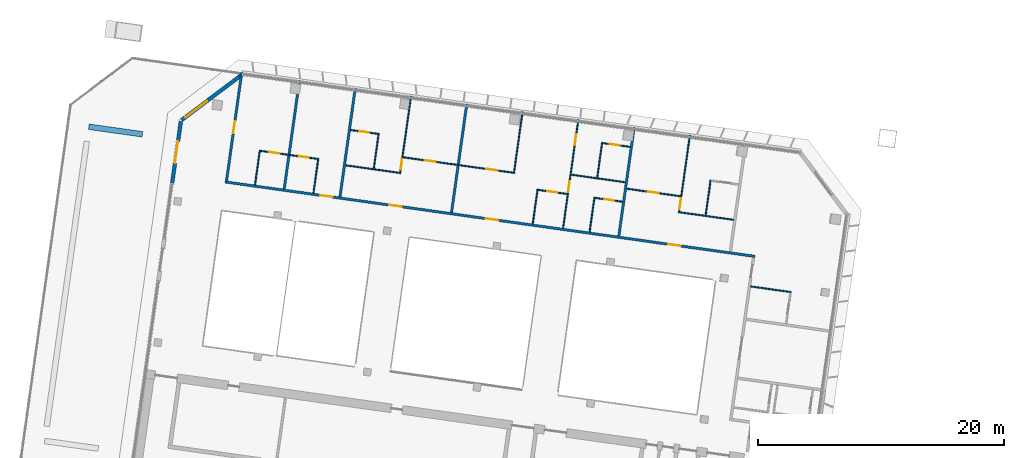
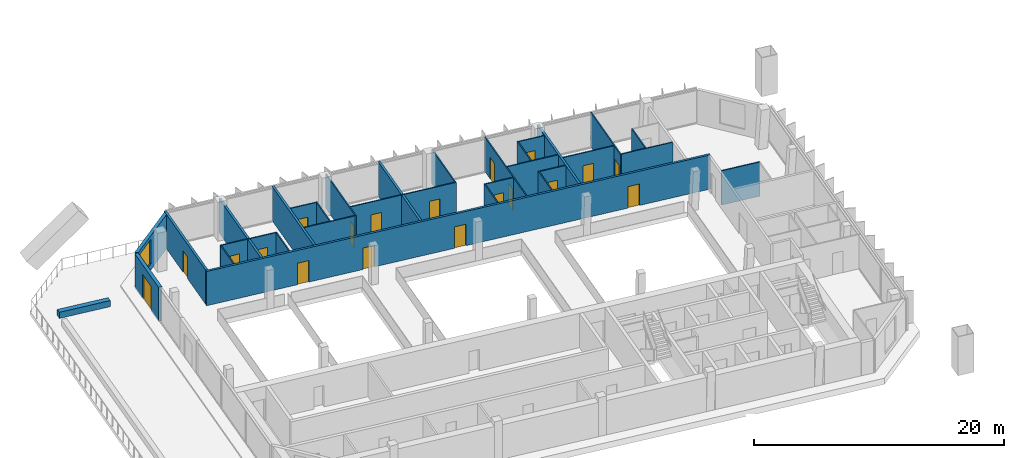
# One storey, part 15 of 23: 31 walls, 19 doors, 1 window, 20 openings.
"""IFC4 building model written with IfcOpenShell, lengths in metres."""

from ifc_helpers import new_model, si_unit, direction, frame, frame_2d, origin, place, context, subcontext, project, spatial, rectangle, extrude, material, layer, layer_set, type_object, element, fill, save


model = new_model("IFC4")

# Units and contexts
model_context = context("Model", 3, precision=1e-05, world=origin(), true_north=direction((0.0, 1.0)))
body_context = subcontext(model_context, "Body", "Model", "MODEL_VIEW")
ifc_project = project(units=[si_unit("LENGTHUNIT", "METRE"), si_unit("AREAUNIT", "SQUARE_METRE"), si_unit("VOLUMEUNIT", "CUBIC_METRE"), si_unit("PLANEANGLEUNIT", "RADIAN"), si_unit("MASSUNIT", "GRAM", prefix="KILO")], contexts=[model_context])

# Site, building, storey
site_placement = place(None, origin())
site = spatial("IfcSite", under=ifc_project, at=site_placement, CompositionType="ELEMENT")
building_placement = place(site_placement, origin())
building = spatial("IfcBuilding", under=site, at=building_placement, Name="Mirante Cascada Hotel Towers", CompositionType="ELEMENT")
storey_placement = place(building_placement, frame((0.0, 0.0, 180.2)))
storey = spatial("IfcBuildingStorey", under=building, at=storey_placement, Name="L42", CompositionType="ELEMENT", Elevation=180.2)

# Wall, openings, doors
ifc_material_1 = material(Name="Fire-rated plasterboard on metal studs")
ifc_layer_1 = layer(ifc_material_1, 0.2)
ifc_layer_set_1 = layer_set([ifc_layer_1], Name="Compartment wall 200 EI 120")
wall_type_1 = type_object("IfcWallType", Name="Compartment wall 200 EI 120", PredefinedType="PARTITIONING", material=ifc_layer_set_1)
wall_1_placement = place(storey_placement, frame((-34.6489, 8.7516, 0.0), z_axis=(0.0, 0.0, 1.0), x_axis=(-0.9902679, 0.1391746, 0.0)))
wall_1 = element("IfcWall", 1, at=wall_1_placement, inside=storey, type_object=wall_type_1, Name="Wall 1-L42-09", PredefinedType="PARTITIONING", context=body_context, shape_type="SweptSolid", body=[
    extrude(rectangle(XDim=43.5, YDim=0.2, at=frame_2d((21.75, 0.0))), origin(), (0.0, 0.0, 1.0), 3.35),
])
opening_1_placement = place(wall_1_placement, frame((6.11, 0.0, 0.0)))
opening_1 = element("IfcOpeningElement", 2, at=opening_1_placement, cuts=wall_1, Name="Opening D1-L42-04", PredefinedType="OPENING", context=body_context, shape_type="SweptSolid", body=[
    extrude(rectangle(XDim=1.0, YDim=2.1, at=frame_2d((0.5, 1.05))), frame((0.0, 0.1, 0.0), z_axis=(0.0, -1.0, 0.0), x_axis=(1.0, 0.0, 0.0)), (0.0, 0.0, 1.0), 0.2),
])
opening_2_placement = place(wall_1_placement, frame((21.0928, 0.0, 0.0)))
opening_2 = element("IfcOpeningElement", 3, at=opening_2_placement, cuts=wall_1, Name="Opening D1-L42-05", PredefinedType="OPENING", context=body_context, shape_type="SweptSolid", body=[
    extrude(rectangle(XDim=1.0, YDim=2.1, at=frame_2d((0.5, 1.05))), frame((0.0, 0.1, 0.0), z_axis=(0.0, -1.0, 0.0), x_axis=(1.0, 0.0, 0.0)), (0.0, 0.0, 1.0), 0.2),
])
opening_3_placement = place(wall_1_placement, frame((29.005, 0.0, 0.0)))
opening_3 = element("IfcOpeningElement", 4, at=opening_3_placement, cuts=wall_1, Name="Opening D1-L42-06", PredefinedType="OPENING", context=body_context, shape_type="SweptSolid", body=[
    extrude(rectangle(XDim=1.0, YDim=2.1, at=frame_2d((0.5, 1.05))), frame((0.0, 0.1, 0.0), z_axis=(0.0, -1.0, 0.0), x_axis=(1.0, 0.0, 0.0)), (0.0, 0.0, 1.0), 0.2),
])
opening_4_placement = place(wall_1_placement, frame((34.6735, 0.0, 0.0)))
opening_4 = element("IfcOpeningElement", 5, at=opening_4_placement, cuts=wall_1, Name="Opening D1-L42-07", PredefinedType="OPENING", context=body_context, shape_type="SweptSolid", body=[
    extrude(rectangle(XDim=1.0, YDim=2.1, at=frame_2d((0.5, 1.05))), frame((0.0, 0.1, 0.0), z_axis=(0.0, -1.0, 0.0), x_axis=(1.0, 0.0, 0.0)), (0.0, 0.0, 1.0), 0.2),
])
ifc_material_2 = material(Name="Fire-rated timber door leaf", Category="wood")
door_type_1 = type_object("IfcDoorType", Name="Entrance door DG1 1000x2100 EI 60", OperationType="SINGLE_SWING_LEFT", PredefinedType="DOOR", material=ifc_material_2)
door_1_placement = place(opening_1_placement, frame((1.0, 0.0, 0.0), z_axis=(0.0, 0.0, 1.0), x_axis=(-1.0, 0.0, 0.0)))
door_1 = element("IfcDoor", 6, at=door_1_placement, inside=storey, type_object=door_type_1, Name="Door D1-L42-04", OperationType="SINGLE_SWING_RIGHT", OverallHeight=2.1, OverallWidth=1.0, PredefinedType="DOOR", context=body_context, shape_type="SweptSolid", body=[
    extrude(rectangle(XDim=1.0, YDim=2.1, at=frame_2d((0.5, 1.05))), frame((0.0, 0.025, 0.0), z_axis=(0.0, -1.0, 0.0), x_axis=(1.0, 0.0, 0.0)), (0.0, 0.0, 1.0), 0.05),
])
fill(opening_1, door_1)
door_2_placement = place(opening_2_placement, frame((1.0, 0.0, 0.0), z_axis=(0.0, 0.0, 1.0), x_axis=(-1.0, 0.0, 0.0)))
door_2 = element("IfcDoor", 7, at=door_2_placement, inside=storey, type_object=door_type_1, Name="Door D1-L42-05", OperationType="SINGLE_SWING_RIGHT", OverallHeight=2.1, OverallWidth=1.0, PredefinedType="DOOR", context=body_context, shape_type="SweptSolid", body=[
    extrude(rectangle(XDim=1.0, YDim=2.1, at=frame_2d((0.5, 1.05))), frame((0.0, 0.025, 0.0), z_axis=(0.0, -1.0, 0.0), x_axis=(1.0, 0.0, 0.0)), (0.0, 0.0, 1.0), 0.05),
])
fill(opening_2, door_2)
door_3_placement = place(opening_3_placement, frame((1.0, 0.0, 0.0), z_axis=(0.0, 0.0, 1.0), x_axis=(-1.0, 0.0, 0.0)))
door_3 = element("IfcDoor", 8, at=door_3_placement, inside=storey, type_object=door_type_1, Name="Door D1-L42-06", OperationType="SINGLE_SWING_RIGHT", OverallHeight=2.1, OverallWidth=1.0, PredefinedType="DOOR", context=body_context, shape_type="SweptSolid", body=[
    extrude(rectangle(XDim=1.0, YDim=2.1, at=frame_2d((0.5, 1.05))), frame((0.0, 0.025, 0.0), z_axis=(0.0, -1.0, 0.0), x_axis=(1.0, 0.0, 0.0)), (0.0, 0.0, 1.0), 0.05),
])
fill(opening_3, door_3)
door_4_placement = place(opening_4_placement, frame((1.0, 0.0, 0.0), z_axis=(0.0, 0.0, 1.0), x_axis=(-1.0, 0.0, 0.0)))
door_4 = element("IfcDoor", 9, at=door_4_placement, inside=storey, type_object=door_type_1, Name="Door D1-L42-07", OperationType="SINGLE_SWING_RIGHT", OverallHeight=2.1, OverallWidth=1.0, PredefinedType="DOOR", context=body_context, shape_type="SweptSolid", body=[
    extrude(rectangle(XDim=1.0, YDim=2.1, at=frame_2d((0.5, 1.05))), frame((0.0, 0.025, 0.0), z_axis=(0.0, -1.0, 0.0), x_axis=(1.0, 0.0, 0.0)), (0.0, 0.0, 1.0), 0.05),
])
fill(opening_4, door_4)

# Walls
for number, where, z_axis, x_axis, name in (
    (10, (-45.7151, 10.4079, 0.0), (0.0, 0.0, 1.0), (0.1391684, 0.9902687, 0.0), "Wall 1-L42-31"),
    (11, (-59.3184, 12.3197, 0.0), (0.0, 0.0, 1.0), (0.1391684, 0.9902687, 0.0), "Wall 1-L42-37"),
    (12, (-67.1486, 22.4076, 0.0), (0.0, 0.0, 1.0), (-0.1391794, -0.9902672, 0.0), "Wall 1-L42-40"),
    (13, (-71.6831, 23.0449, 0.0), (0.0, 0.0, 1.0), (-0.1391684, -0.9902687, 0.0), "Wall 1-L42-42"),
):
    element("IfcWall", number, at=place(storey_placement, frame(where, z_axis=z_axis, x_axis=x_axis)), inside=storey, type_object=wall_type_1, Name=name, PredefinedType="PARTITIONING", context=body_context, shape_type="SweptSolid", body=[
        extrude(rectangle(XDim=8.9, YDim=0.2, at=frame_2d((4.45, 0.0))), origin(), (0.0, 0.0, 1.0), 3.35),
    ])

# Wall, opening, door
wall_2_placement = place(storey_placement, frame((-76.374, 23.7042, 0.0), z_axis=(0.0, 0.0, 1.0), x_axis=(-0.1391684, -0.9902687, 0.0)))
wall_2 = element("IfcWall", 14, at=wall_2_placement, inside=storey, type_object=wall_type_1, Name="Wall 1-L42-44", PredefinedType="PARTITIONING", context=body_context, shape_type="SweptSolid", body=[
    extrude(rectangle(XDim=8.9, YDim=0.2, at=frame_2d((4.45, 0.0))), origin(), (0.0, 0.0, 1.0), 3.35),
])
opening_5_placement = place(wall_2_placement, frame((4.0, 0.0, 0.0)))
opening_5 = element("IfcOpeningElement", 15, at=opening_5_placement, cuts=wall_2, Name="Opening D1-L42-28", PredefinedType="OPENING", context=body_context, shape_type="SweptSolid", body=[
    extrude(rectangle(XDim=1.0, YDim=2.1, at=frame_2d((0.5, 1.05))), frame((0.0, 0.1, 0.0), z_axis=(0.0, -1.0, 0.0), x_axis=(1.0, 0.0, 0.0)), (0.0, 0.0, 1.0), 0.2),
])
door_5_placement = place(opening_5_placement, origin())
door_5 = element("IfcDoor", 16, at=door_5_placement, inside=storey, type_object=door_type_1, Name="Door D1-L42-28", OperationType="SINGLE_SWING_LEFT", OverallHeight=2.1, OverallWidth=1.0, PredefinedType="DOOR", context=body_context, shape_type="SweptSolid", body=[
    extrude(rectangle(XDim=1.0, YDim=2.1, at=frame_2d((0.5, 1.05))), frame((0.0, 0.025, 0.0), z_axis=(0.0, -1.0, 0.0), x_axis=(1.0, 0.0, 0.0)), (0.0, 0.0, 1.0), 0.05),
])
fill(opening_5, door_5)

# Walls
ifc_material_3 = material(Name="Plasterboard on metal studs")
ifc_layer_2 = layer(ifc_material_3, 0.1)
ifc_layer_set_2 = layer_set([ifc_layer_2], Name="Partition 100")
wall_type_2 = type_object("IfcWallType", Name="Partition 100", PredefinedType="PARTITIONING", material=ifc_layer_set_2)
wall_3_placement = place(storey_placement, frame((-34.9922, 6.3089, 0.0), z_axis=(0.0, 0.0, 1.0), x_axis=(0.9902682, -0.1391719, 0.0)))
element("IfcWall", 17, at=wall_3_placement, inside=storey, type_object=wall_type_2, Name="Wall 1-L42-08", PredefinedType="PARTITIONING", context=body_context, shape_type="SweptSolid", body=[
    extrude(rectangle(XDim=3.3239, YDim=0.1, at=frame_2d((1.662, 0.0))), origin(), (0.0, 0.0, 1.0), 3.35),
])
for number, where, z_axis, x_axis, name in (
    (18, (-40.7693, 12.3383, 0.0), (0.0, 0.0, 1.0), (0.990268, -0.1391735, 0.0), "Wall 1-L42-10"),
    (19, (-63.5405, 15.5386, 0.0), (0.0, 0.0, 1.0), (-0.990268, 0.1391735, 0.0), "Wall 1-L42-11"),
):
    element("IfcWall", number, at=place(storey_placement, frame(where, z_axis=z_axis, x_axis=x_axis)), inside=storey, type_object=wall_type_2, Name=name, PredefinedType="PARTITIONING", context=body_context, shape_type="SweptSolid", body=[
        extrude(rectangle(XDim=4.429, YDim=0.1, at=frame_2d((2.2145, 0.0))), origin(), (0.0, 0.0, 1.0), 3.35),
    ])

# Wall, opening, door
wall_4_placement = place(storey_placement, frame((-47.6525, 13.5077, 0.0), z_axis=(0.0, 0.0, 1.0), x_axis=(0.9902643, -0.1391997, 0.0)))
wall_4 = element("IfcWall", 20, at=wall_4_placement, inside=storey, type_object=wall_type_2, Name="Wall 1-L42-12", PredefinedType="PARTITIONING", context=body_context, shape_type="SweptSolid", body=[
    extrude(rectangle(XDim=2.25, YDim=0.1, at=frame_2d((1.125, 0.0))), origin(), (0.0, 0.0, 1.0), 3.35),
])
opening_6_placement = place(wall_4_placement, frame((0.75, 0.0, 0.0)))
opening_6 = element("IfcOpeningElement", 21, at=opening_6_placement, cuts=wall_4, Name="Opening D1-L42-08", PredefinedType="OPENING", context=body_context, shape_type="SweptSolid", body=[
    extrude(rectangle(XDim=0.8, YDim=2.1, at=frame_2d((0.4, 1.05))), frame((0.0, 0.05, 0.0), z_axis=(0.0, -1.0, 0.0), x_axis=(1.0, 0.0, 0.0)), (0.0, 0.0, 1.0), 0.1),
])
ifc_material_4 = material(Name="Timber door leaf", Category="wood")
door_type_2 = type_object("IfcDoorType", Name="Bathroom door DG4 800x2100", OperationType="SINGLE_SWING_LEFT", PredefinedType="DOOR", material=ifc_material_4)
door_6_placement = place(opening_6_placement, frame((0.8, 0.0, 0.0), z_axis=(0.0, 0.0, 1.0), x_axis=(-1.0, 0.0, 0.0)))
door_6 = element("IfcDoor", 22, at=door_6_placement, inside=storey, type_object=door_type_2, Name="Door D1-L42-08", OperationType="SINGLE_SWING_RIGHT", OverallHeight=2.1, OverallWidth=0.8, PredefinedType="DOOR", context=body_context, shape_type="SweptSolid", body=[
    extrude(rectangle(XDim=0.8, YDim=2.1, at=frame_2d((0.4, 1.05))), frame((0.0, 0.025, 0.0), z_axis=(0.0, -1.0, 0.0), x_axis=(1.0, 0.0, 0.0)), (0.0, 0.0, 1.0), 0.05),
])
fill(opening_6, door_6)

wall_5_placement = place(storey_placement, frame((-49.9094, 13.8249, 0.0), z_axis=(0.0, 0.0, 1.0), x_axis=(-0.9902705, 0.1391555, 0.0)))
wall_5 = element("IfcWall", 23, at=wall_5_placement, inside=storey, type_object=wall_type_2, Name="Wall 1-L42-13", PredefinedType="PARTITIONING", context=body_context, shape_type="SweptSolid", body=[
    extrude(rectangle(XDim=2.3916, YDim=0.1, at=frame_2d((1.1958, 0.0))), origin(), (0.0, 0.0, 1.0), 3.35),
])
opening_7_placement = place(wall_5_placement, frame((0.8416, 0.0, 0.0)))
opening_7 = element("IfcOpeningElement", 24, at=opening_7_placement, cuts=wall_5, Name="Opening D1-L42-09", PredefinedType="OPENING", context=body_context, shape_type="SweptSolid", body=[
    extrude(rectangle(XDim=0.8, YDim=2.1, at=frame_2d((0.4, 1.05))), frame((0.0, 0.05, 0.0), z_axis=(0.0, -1.0, 0.0), x_axis=(1.0, 0.0, 0.0)), (0.0, 0.0, 1.0), 0.1),
])
door_7_placement = place(opening_7_placement, frame((0.8, 0.0, 0.0), z_axis=(0.0, 0.0, 1.0), x_axis=(-1.0, 0.0, 0.0)))
door_7 = element("IfcDoor", 25, at=door_7_placement, inside=storey, type_object=door_type_2, Name="Door D1-L42-09", OperationType="SINGLE_SWING_RIGHT", OverallHeight=2.1, OverallWidth=0.8, PredefinedType="DOOR", context=body_context, shape_type="SweptSolid", body=[
    extrude(rectangle(XDim=0.8, YDim=2.1, at=frame_2d((0.4, 1.05))), frame((0.0, 0.025, 0.0), z_axis=(0.0, -1.0, 0.0), x_axis=(1.0, 0.0, 0.0)), (0.0, 0.0, 1.0), 0.05),
])
fill(opening_7, door_7)

# Wall, openings, doors
wall_6_placement = place(storey_placement, frame((-74.9582, 17.3452, 0.0), z_axis=(0.0, 0.0, 1.0), x_axis=(0.9902694, -0.1391638, 0.0)))
wall_6 = element("IfcWall", 26, at=wall_6_placement, inside=storey, type_object=wall_type_2, Name="Wall 1-L42-14", PredefinedType="PARTITIONING", context=body_context, shape_type="SweptSolid", body=[
    extrude(rectangle(XDim=4.9, YDim=0.1, at=frame_2d((2.45, 0.0))), origin(), (0.0, 0.0, 1.0), 3.35),
])
opening_8_placement = place(wall_6_placement, frame((3.25, 0.0, 0.0)))
opening_8 = element("IfcOpeningElement", 27, at=opening_8_placement, cuts=wall_6, Name="Opening D1-L42-10", PredefinedType="OPENING", context=body_context, shape_type="SweptSolid", body=[
    extrude(rectangle(XDim=0.8, YDim=2.1, at=frame_2d((0.4, 1.05))), frame((0.0, 0.05, 0.0), z_axis=(0.0, -1.0, 0.0), x_axis=(1.0, 0.0, 0.0)), (0.0, 0.0, 1.0), 0.1),
])
opening_9_placement = place(wall_6_placement, frame((0.85, 0.0, 0.0)))
opening_9 = element("IfcOpeningElement", 28, at=opening_9_placement, cuts=wall_6, Name="Opening D1-L42-11", PredefinedType="OPENING", context=body_context, shape_type="SweptSolid", body=[
    extrude(rectangle(XDim=0.8, YDim=2.1, at=frame_2d((0.4, 1.05))), frame((0.0, 0.05, 0.0), z_axis=(0.0, -1.0, 0.0), x_axis=(1.0, 0.0, 0.0)), (0.0, 0.0, 1.0), 0.1),
])
door_8_placement = place(opening_8_placement, origin())
door_8 = element("IfcDoor", 29, at=door_8_placement, inside=storey, type_object=door_type_2, Name="Door D1-L42-10", OperationType="SINGLE_SWING_LEFT", OverallHeight=2.1, OverallWidth=0.8, PredefinedType="DOOR", context=body_context, shape_type="SweptSolid", body=[
    extrude(rectangle(XDim=0.8, YDim=2.1, at=frame_2d((0.4, 1.05))), frame((0.0, 0.025, 0.0), z_axis=(0.0, -1.0, 0.0), x_axis=(1.0, 0.0, 0.0)), (0.0, 0.0, 1.0), 0.05),
])
fill(opening_8, door_8)
door_9_placement = place(opening_9_placement, origin())
door_9 = element("IfcDoor", 30, at=door_9_placement, inside=storey, type_object=door_type_2, Name="Door D1-L42-11", OperationType="SINGLE_SWING_LEFT", OverallHeight=2.1, OverallWidth=0.8, PredefinedType="DOOR", context=body_context, shape_type="SweptSolid", body=[
    extrude(rectangle(XDim=0.8, YDim=2.1, at=frame_2d((0.4, 1.05))), frame((0.0, 0.025, 0.0), z_axis=(0.0, -1.0, 0.0), x_axis=(1.0, 0.0, 0.0)), (0.0, 0.0, 1.0), 0.05),
])
fill(opening_9, door_9)

# Wall, opening, door
wall_7_placement = place(storey_placement, frame((-40.6874, 13.6396, 0.0), z_axis=(0.0, 0.0, 1.0), x_axis=(-0.990268, 0.1391735, 0.0)))
wall_7 = element("IfcWall", 31, at=wall_7_placement, inside=storey, type_object=wall_type_2, Name="Wall 1-L42-15", PredefinedType="PARTITIONING", context=body_context, shape_type="SweptSolid", body=[
    extrude(rectangle(XDim=4.429, YDim=0.1, at=frame_2d((2.2145, 0.0))), origin(), (0.0, 0.0, 1.0), 3.35),
])
opening_10_placement = place(wall_7_placement, frame((1.7895, 0.0, 0.0)))
opening_10 = element("IfcOpeningElement", 32, at=opening_10_placement, cuts=wall_7, Name="Opening D1-L42-12", PredefinedType="OPENING", context=body_context, shape_type="SweptSolid", body=[
    extrude(rectangle(XDim=0.9, YDim=2.1, at=frame_2d((0.45, 1.05))), frame((0.0, 0.05, 0.0), z_axis=(0.0, -1.0, 0.0), x_axis=(1.0, 0.0, 0.0)), (0.0, 0.0, 1.0), 0.1),
])
ifc_material_5 = material(Name="Timber door leaf", Category="wood")
door_type_3 = type_object("IfcDoorType", Name="Room door DG3 900x2100", OperationType="SINGLE_SWING_LEFT", PredefinedType="DOOR", material=ifc_material_5)
door_10_placement = place(opening_10_placement, origin())
door_10 = element("IfcDoor", 33, at=door_10_placement, inside=storey, type_object=door_type_3, Name="Door D1-L42-12", OperationType="SINGLE_SWING_LEFT", OverallHeight=2.1, OverallWidth=0.9, PredefinedType="DOOR", context=body_context, shape_type="SweptSolid", body=[
    extrude(rectangle(XDim=0.9, YDim=2.1, at=frame_2d((0.45, 1.05))), frame((0.0, 0.025, 0.0), z_axis=(0.0, -1.0, 0.0), x_axis=(1.0, 0.0, 0.0)), (0.0, 0.0, 1.0), 0.05),
])
fill(opening_10, door_10)

# Wall, openings, doors
wall_8_placement = place(storey_placement, frame((-63.2606, 16.8121, 0.0), z_axis=(0.0, 0.0, 1.0), x_axis=(0.9902673, -0.1391784, 0.0)))
wall_8 = element("IfcWall", 34, at=wall_8_placement, inside=storey, type_object=wall_type_2, Name="Wall 1-L42-16", PredefinedType="PARTITIONING", context=body_context, shape_type="SweptSolid", body=[
    extrude(rectangle(XDim=9.158, YDim=0.1, at=frame_2d((4.579, 0.0))), origin(), (0.0, 0.0, 1.0), 3.35),
])
opening_11_placement = place(wall_8_placement, frame((6.829, 0.0, 0.0)))
opening_11 = element("IfcOpeningElement", 35, at=opening_11_placement, cuts=wall_8, Name="Opening D1-L42-13", PredefinedType="OPENING", context=body_context, shape_type="SweptSolid", body=[
    extrude(rectangle(XDim=0.9, YDim=2.1, at=frame_2d((0.45, 1.05))), frame((0.0, 0.05, 0.0), z_axis=(0.0, -1.0, 0.0), x_axis=(1.0, 0.0, 0.0)), (0.0, 0.0, 1.0), 0.1),
])
opening_12_placement = place(wall_8_placement, frame((1.7895, 0.0, 0.0)))
opening_12 = element("IfcOpeningElement", 36, at=opening_12_placement, cuts=wall_8, Name="Opening D1-L42-14", PredefinedType="OPENING", context=body_context, shape_type="SweptSolid", body=[
    extrude(rectangle(XDim=0.9, YDim=2.1, at=frame_2d((0.45, 1.05))), frame((0.0, 0.05, 0.0), z_axis=(0.0, -1.0, 0.0), x_axis=(1.0, 0.0, 0.0)), (0.0, 0.0, 1.0), 0.1),
])
door_11_placement = place(opening_11_placement, origin())
door_11 = element("IfcDoor", 37, at=door_11_placement, inside=storey, type_object=door_type_3, Name="Door D1-L42-13", OperationType="SINGLE_SWING_LEFT", OverallHeight=2.1, OverallWidth=0.9, PredefinedType="DOOR", context=body_context, shape_type="SweptSolid", body=[
    extrude(rectangle(XDim=0.9, YDim=2.1, at=frame_2d((0.45, 1.05))), frame((0.0, 0.025, 0.0), z_axis=(0.0, -1.0, 0.0), x_axis=(1.0, 0.0, 0.0)), (0.0, 0.0, 1.0), 0.05),
])
fill(opening_11, door_11)
door_12_placement = place(opening_12_placement, frame((0.9, 0.0, 0.0), z_axis=(0.0, 0.0, 1.0), x_axis=(-1.0, 0.0, 0.0)))
door_12 = element("IfcDoor", 38, at=door_12_placement, inside=storey, type_object=door_type_3, Name="Door D1-L42-14", OperationType="SINGLE_SWING_RIGHT", OverallHeight=2.1, OverallWidth=0.9, PredefinedType="DOOR", context=body_context, shape_type="SweptSolid", body=[
    extrude(rectangle(XDim=0.9, YDim=2.1, at=frame_2d((0.45, 1.05))), frame((0.0, 0.025, 0.0), z_axis=(0.0, -1.0, 0.0), x_axis=(1.0, 0.0, 0.0)), (0.0, 0.0, 1.0), 0.05),
])
fill(opening_12, door_12)

# Wall
wall_9_placement = place(storey_placement, frame((-45.2018, 14.779, 0.0), z_axis=(0.0, 0.0, 1.0), x_axis=(-0.990268, 0.1391735, 0.0)))
element("IfcWall", 39, at=wall_9_placement, inside=storey, type_object=wall_type_2, Name="Wall 1-L42-17", PredefinedType="PARTITIONING", context=body_context, shape_type="SweptSolid", body=[
    extrude(rectangle(XDim=4.429, YDim=0.1, at=frame_2d((2.2145, 0.0))), origin(), (0.0, 0.0, 1.0), 3.35),
])

# Wall, opening, door
wall_10_placement = place(storey_placement, frame((-65.2947, 18.7137, 0.0), z_axis=(0.0, 0.0, 1.0), x_axis=(-0.9902705, 0.1391561, 0.0)))
wall_10 = element("IfcWall", 40, at=wall_10_placement, inside=storey, type_object=wall_type_2, Name="Wall 1-L42-19", PredefinedType="PARTITIONING", context=body_context, shape_type="SweptSolid", body=[
    extrude(rectangle(XDim=2.25, YDim=0.1, at=frame_2d((1.125, 0.0))), origin(), (0.0, 0.0, 1.0), 3.35),
])
opening_13_placement = place(wall_10_placement, frame((0.75, 0.0, 0.0)))
opening_13 = element("IfcOpeningElement", 41, at=opening_13_placement, cuts=wall_10, Name="Opening D1-L42-16", PredefinedType="OPENING", context=body_context, shape_type="SweptSolid", body=[
    extrude(rectangle(XDim=0.8, YDim=2.1, at=frame_2d((0.4, 1.05))), frame((0.0, 0.05, 0.0), z_axis=(0.0, -1.0, 0.0), x_axis=(1.0, 0.0, 0.0)), (0.0, 0.0, 1.0), 0.1),
])
door_13_placement = place(opening_13_placement, frame((0.8, 0.0, 0.0), z_axis=(0.0, 0.0, 1.0), x_axis=(-1.0, 0.0, 0.0)))
door_13 = element("IfcDoor", 42, at=door_13_placement, inside=storey, type_object=door_type_2, Name="Door D1-L42-16", OperationType="SINGLE_SWING_RIGHT", OverallHeight=2.1, OverallWidth=0.8, PredefinedType="DOOR", context=body_context, shape_type="SweptSolid", body=[
    extrude(rectangle(XDim=0.8, YDim=2.1, at=frame_2d((0.4, 1.05))), frame((0.0, 0.025, 0.0), z_axis=(0.0, -1.0, 0.0), x_axis=(1.0, 0.0, 0.0)), (0.0, 0.0, 1.0), 0.05),
])
fill(opening_13, door_13)

wall_11_placement = place(storey_placement, frame((-47.0263, 17.9639, 0.0), z_axis=(0.0, 0.0, 1.0), x_axis=(0.9902643, -0.1391997, 0.0)))
wall_11 = element("IfcWall", 43, at=wall_11_placement, inside=storey, type_object=wall_type_2, Name="Wall 1-L42-20", PredefinedType="PARTITIONING", context=body_context, shape_type="SweptSolid", body=[
    extrude(rectangle(XDim=2.25, YDim=0.1, at=frame_2d((1.125, 0.0))), origin(), (0.0, 0.0, 1.0), 3.35),
])
opening_14_placement = place(wall_11_placement, frame((0.6, 0.0, 0.0)))
opening_14 = element("IfcOpeningElement", 44, at=opening_14_placement, cuts=wall_11, Name="Opening D1-L42-17", PredefinedType="OPENING", context=body_context, shape_type="SweptSolid", body=[
    extrude(rectangle(XDim=0.8, YDim=2.1, at=frame_2d((0.4, 1.05))), frame((0.0, 0.05, 0.0), z_axis=(0.0, -1.0, 0.0), x_axis=(1.0, 0.0, 0.0)), (0.0, 0.0, 1.0), 0.1),
])
door_14_placement = place(opening_14_placement, frame((0.8, 0.0, 0.0), z_axis=(0.0, 0.0, 1.0), x_axis=(-1.0, 0.0, 0.0)))
door_14 = element("IfcDoor", 45, at=door_14_placement, inside=storey, type_object=door_type_2, Name="Door D1-L42-17", OperationType="SINGLE_SWING_RIGHT", OverallHeight=2.1, OverallWidth=0.8, PredefinedType="DOOR", context=body_context, shape_type="SweptSolid", body=[
    extrude(rectangle(XDim=0.8, YDim=2.1, at=frame_2d((0.4, 1.05))), frame((0.0, 0.025, 0.0), z_axis=(0.0, -1.0, 0.0), x_axis=(1.0, 0.0, 0.0)), (0.0, 0.0, 1.0), 0.05),
])
fill(opening_14, door_14)

# Wall
wall_12_placement = place(storey_placement, frame((-38.6541, 12.0915, 0.0), z_axis=(0.0, 0.0, 1.0), x_axis=(0.1391714, 0.9902683, 0.0)))
element("IfcWall", 46, at=wall_12_placement, inside=storey, type_object=wall_type_2, Name="Wall 1-L42-29", PredefinedType="PARTITIONING", context=body_context, shape_type="SweptSolid", body=[
    extrude(rectangle(XDim=2.9, YDim=0.1, at=frame_2d((1.45, 0.0))), origin(), (0.0, 0.0, 1.0), 3.35),
])

# Wall, opening, door
wall_13_placement = place(storey_placement, frame((-39.942, 18.584, 0.0), z_axis=(0.0, 0.0, 1.0), x_axis=(-0.139181, -0.990267, 0.0)))
wall_13 = element("IfcWall", 47, at=wall_13_placement, inside=storey, type_object=wall_type_2, Name="Wall 1-L42-30", PredefinedType="PARTITIONING", context=body_context, shape_type="SweptSolid", body=[
    extrude(rectangle(XDim=6.35, YDim=0.1, at=frame_2d((3.175, 0.0))), origin(), (0.0, 0.0, 1.0), 3.35),
])
opening_15_placement = place(wall_13_placement, frame((5.15, 0.0, 0.0)))
opening_15 = element("IfcOpeningElement", 48, at=opening_15_placement, cuts=wall_13, Name="Opening D1-L42-24", PredefinedType="OPENING", context=body_context, shape_type="SweptSolid", body=[
    extrude(rectangle(XDim=0.9, YDim=2.1, at=frame_2d((0.45, 1.05))), frame((0.0, 0.05, 0.0), z_axis=(0.0, -1.0, 0.0), x_axis=(1.0, 0.0, 0.0)), (0.0, 0.0, 1.0), 0.1),
])
door_15_placement = place(opening_15_placement, origin())
door_15 = element("IfcDoor", 49, at=door_15_placement, inside=storey, type_object=door_type_3, Name="Door D1-L42-24", OperationType="SINGLE_SWING_LEFT", OverallHeight=2.1, OverallWidth=0.9, PredefinedType="DOOR", context=body_context, shape_type="SweptSolid", body=[
    extrude(rectangle(XDim=0.9, YDim=2.1, at=frame_2d((0.45, 1.05))), frame((0.0, 0.025, 0.0), z_axis=(0.0, -1.0, 0.0), x_axis=(1.0, 0.0, 0.0)), (0.0, 0.0, 1.0), 0.05),
])
fill(opening_15, door_15)

# Walls
wall_14_placement = place(storey_placement, frame((-47.6951, 13.5642, 0.0), z_axis=(0.0, 0.0, 1.0), x_axis=(-0.1391564, -0.9902704, 0.0)))
element("IfcWall", 50, at=wall_14_placement, inside=storey, type_object=wall_type_2, Name="Wall 1-L42-32", PredefinedType="PARTITIONING", context=body_context, shape_type="SweptSolid", body=[
    extrude(rectangle(XDim=2.85, YDim=0.1, at=frame_2d((1.425, 0.0))), origin(), (0.0, 0.0, 1.0), 3.35),
])
wall_15_placement = place(storey_placement, frame((-47.4724, 15.1486, 0.0), z_axis=(0.0, 0.0, 1.0), x_axis=(0.1391714, 0.9902683, 0.0)))
element("IfcWall", 51, at=wall_15_placement, inside=storey, type_object=wall_type_2, Name="Wall 1-L42-33", PredefinedType="PARTITIONING", context=body_context, shape_type="SweptSolid", body=[
    extrude(rectangle(XDim=2.9, YDim=0.1, at=frame_2d((1.45, 0.0))), origin(), (0.0, 0.0, 1.0), 3.35),
])

# Wall, openings, doors
wall_16_placement = place(storey_placement, frame((-49.0109, 19.8585, 0.0), z_axis=(0.0, 0.0, 1.0), x_axis=(-0.1391684, -0.9902687, 0.0)))
wall_16 = element("IfcWall", 52, at=wall_16_placement, inside=storey, type_object=wall_type_2, Name="Wall 1-L42-34", PredefinedType="PARTITIONING", context=body_context, shape_type="SweptSolid", body=[
    extrude(rectangle(XDim=8.9, YDim=0.1, at=frame_2d((4.45, 0.0))), origin(), (0.0, 0.0, 1.0), 3.35),
])
opening_16_placement = place(wall_16_placement, frame((5.05, 0.0, 0.0)))
opening_16 = element("IfcOpeningElement", 53, at=opening_16_placement, cuts=wall_16, Name="Opening D1-L42-25", PredefinedType="OPENING", context=body_context, shape_type="SweptSolid", body=[
    extrude(rectangle(XDim=0.9, YDim=2.1, at=frame_2d((0.45, 1.05))), frame((0.0, 0.05, 0.0), z_axis=(0.0, -1.0, 0.0), x_axis=(1.0, 0.0, 0.0)), (0.0, 0.0, 1.0), 0.1),
])
opening_17_placement = place(wall_16_placement, frame((1.2, 0.0, 0.0)))
opening_17 = element("IfcOpeningElement", 54, at=opening_17_placement, cuts=wall_16, Name="Opening D1-L42-26", PredefinedType="OPENING", context=body_context, shape_type="SweptSolid", body=[
    extrude(rectangle(XDim=0.9, YDim=2.1, at=frame_2d((0.45, 1.05))), frame((0.0, 0.05, 0.0), z_axis=(0.0, -1.0, 0.0), x_axis=(1.0, 0.0, 0.0)), (0.0, 0.0, 1.0), 0.1),
])
door_16_placement = place(opening_16_placement, frame((0.9, 0.0, 0.0), z_axis=(0.0, 0.0, 1.0), x_axis=(-1.0, 0.0, 0.0)))
door_16 = element("IfcDoor", 55, at=door_16_placement, inside=storey, type_object=door_type_3, Name="Door D1-L42-25", OperationType="SINGLE_SWING_RIGHT", OverallHeight=2.1, OverallWidth=0.9, PredefinedType="DOOR", context=body_context, shape_type="SweptSolid", body=[
    extrude(rectangle(XDim=0.9, YDim=2.1, at=frame_2d((0.45, 1.05))), frame((0.0, 0.025, 0.0), z_axis=(0.0, -1.0, 0.0), x_axis=(1.0, 0.0, 0.0)), (0.0, 0.0, 1.0), 0.05),
])
fill(opening_16, door_16)
door_17_placement = place(opening_17_placement, frame((0.9, 0.0, 0.0), z_axis=(0.0, 0.0, 1.0), x_axis=(-1.0, 0.0, 0.0)))
door_17 = element("IfcDoor", 56, at=door_17_placement, inside=storey, type_object=door_type_3, Name="Door D1-L42-26", OperationType="SINGLE_SWING_RIGHT", OverallHeight=2.1, OverallWidth=0.9, PredefinedType="DOOR", context=body_context, shape_type="SweptSolid", body=[
    extrude(rectangle(XDim=0.9, YDim=2.1, at=frame_2d((0.45, 1.05))), frame((0.0, 0.025, 0.0), z_axis=(0.0, -1.0, 0.0), x_axis=(1.0, 0.0, 0.0)), (0.0, 0.0, 1.0), 0.05),
])
fill(opening_17, door_17)

# Walls
wall_17_placement = place(storey_placement, frame((-52.7169, 11.3919, 0.0), z_axis=(0.0, 0.0, 1.0), x_axis=(0.1391909, 0.9902656, 0.0)))
element("IfcWall", 57, at=wall_17_placement, inside=storey, type_object=wall_type_2, Name="Wall 1-L42-35", PredefinedType="PARTITIONING", context=body_context, shape_type="SweptSolid", body=[
    extrude(rectangle(XDim=2.85, YDim=0.1, at=frame_2d((1.425, 0.0))), origin(), (0.0, 0.0, 1.0), 3.35),
])
wall_18_placement = place(storey_placement, frame((-53.5453, 20.4958, 0.0), z_axis=(0.0, 0.0, 1.0), x_axis=(-0.1391725, -0.9902682, 0.0)))
element("IfcWall", 58, at=wall_18_placement, inside=storey, type_object=wall_type_2, Name="Wall 1-L42-36", PredefinedType="PARTITIONING", context=body_context, shape_type="SweptSolid", body=[
    extrude(rectangle(XDim=4.95, YDim=0.1, at=frame_2d((2.475, 0.0))), origin(), (0.0, 0.0, 1.0), 3.35),
])

# Wall, opening, door
wall_19_placement = place(storey_placement, frame((-62.6142, 21.7704, 0.0), z_axis=(0.0, 0.0, 1.0), x_axis=(-0.1391788, -0.9902673, 0.0)))
wall_19 = element("IfcWall", 59, at=wall_19_placement, inside=storey, type_object=wall_type_2, Name="Wall 1-L42-38", PredefinedType="PARTITIONING", context=body_context, shape_type="SweptSolid", body=[
    extrude(rectangle(XDim=6.3501, YDim=0.1, at=frame_2d((3.175, 0.0))), origin(), (0.0, 0.0, 1.0), 3.35),
])
opening_18_placement = place(wall_19_placement, frame((5.15, 0.0, 0.0)))
opening_18 = element("IfcOpeningElement", 60, at=opening_18_placement, cuts=wall_19, Name="Opening D1-L42-27", PredefinedType="OPENING", context=body_context, shape_type="SweptSolid", body=[
    extrude(rectangle(XDim=0.9, YDim=2.1, at=frame_2d((0.45, 1.05))), frame((0.0, 0.05, 0.0), z_axis=(0.0, -1.0, 0.0), x_axis=(1.0, 0.0, 0.0)), (0.0, 0.0, 1.0), 0.1),
])
door_18_placement = place(opening_18_placement, origin())
door_18 = element("IfcDoor", 61, at=door_18_placement, inside=storey, type_object=door_type_3, Name="Door D1-L42-27", OperationType="SINGLE_SWING_LEFT", OverallHeight=2.1, OverallWidth=0.9, PredefinedType="DOOR", context=body_context, shape_type="SweptSolid", body=[
    extrude(rectangle(XDim=0.9, YDim=2.1, at=frame_2d((0.45, 1.05))), frame((0.0, 0.025, 0.0), z_axis=(0.0, -1.0, 0.0), x_axis=(1.0, 0.0, 0.0)), (0.0, 0.0, 1.0), 0.05),
])
fill(opening_18, door_18)

# Walls
wall_20_placement = place(storey_placement, frame((-65.6418, 15.8844, 0.0), z_axis=(0.0, 0.0, 1.0), x_axis=(0.1391714, 0.9902683, 0.0)))
element("IfcWall", 62, at=wall_20_placement, inside=storey, type_object=wall_type_2, Name="Wall 1-L42-39", PredefinedType="PARTITIONING", context=body_context, shape_type="SweptSolid", body=[
    extrude(rectangle(XDim=2.9, YDim=0.1, at=frame_2d((1.45, 0.0))), origin(), (0.0, 0.0, 1.0), 3.35),
])
wall_21_placement = place(storey_placement, frame((-70.5451, 13.8975, 0.0), z_axis=(0.0, 0.0, 1.0), x_axis=(0.1391657, 0.9902691, 0.0)))
element("IfcWall", 63, at=wall_21_placement, inside=storey, type_object=wall_type_2, Name="Wall 1-L42-41", PredefinedType="PARTITIONING", context=body_context, shape_type="SweptSolid", body=[
    extrude(rectangle(XDim=2.75, YDim=0.1, at=frame_2d((1.375, 0.0))), origin(), (0.0, 0.0, 1.0), 3.35),
])
wall_22_placement = place(storey_placement, frame((-75.2984, 14.5655, 0.0), z_axis=(0.0, 0.0, 1.0), x_axis=(0.1391963, 0.9902648, 0.0)))
element("IfcWall", 64, at=wall_22_placement, inside=storey, type_object=wall_type_2, Name="Wall 1-L42-43", PredefinedType="PARTITIONING", context=body_context, shape_type="SweptSolid", body=[
    extrude(rectangle(XDim=2.7501, YDim=0.1, at=frame_2d((1.3751, 0.0))), origin(), (0.0, 0.0, 1.0), 3.35),
])
ifc_material_6 = material(Name="Precast concrete C40/50", Category="concrete")
ifc_layer_3 = layer(ifc_material_6, 0.45)
ifc_layer_set_3 = layer_set([ifc_layer_3], Name="Planter wall 450 concrete C40/50")
wall_type_3 = type_object("IfcWallType", Name="Planter wall 450 concrete C40/50", PredefinedType="PARAPET", material=ifc_layer_set_3)
wall_23_placement = place(storey_placement, frame((-84.4519, 18.6795, 0.0), z_axis=(0.0, 0.0, 1.0), x_axis=(-0.990267, 0.139181, 0.0)))
element("IfcWall", 65, at=wall_23_placement, inside=storey, type_object=wall_type_3, Name="PLANTER T1 L42 bed 2", PredefinedType="PARAPET", context=body_context, shape_type="SweptSolid", body=[
    extrude(rectangle(XDim=4.4, YDim=0.45, at=frame_2d((2.2, 0.0))), origin(), (0.0, 0.0, 1.0), 0.6),
])

# Wall, opening, window
ifc_material_7 = material(Name="Precast concrete C40/50", Category="concrete")
ifc_layer_4 = layer(ifc_material_7, 0.3)
ifc_layer_set_4 = layer_set([ifc_layer_4], Name="Precast concrete C40/50 cladding wall 300")
wall_type_4 = type_object("IfcWallType", Name="Precast concrete C40/50 cladding wall 300", PredefinedType="STANDARD", material=ifc_layer_set_4)
wall_24_placement = place(storey_placement, frame((-81.2671, 19.8291, 0.0), z_axis=(0.0, 0.0, 1.0), x_axis=(0.7986343, 0.6018167, 0.0)))
wall_24 = element("IfcWall", 66, at=wall_24_placement, inside=storey, type_object=wall_type_4, Name="Corner cladding wall T1 L42 outer front", PredefinedType="STANDARD", context=body_context, shape_type="SweptSolid", body=[
    extrude(rectangle(XDim=6.1158, YDim=0.3, at=frame_2d((3.0579, 0.0))), origin(), (0.0, 0.0, 1.0), 3.35),
])
opening_19_placement = place(wall_24_placement, frame((0.3914, 0.0, 0.6)))
opening_19 = element("IfcOpeningElement", 67, at=opening_19_placement, cuts=wall_24, Name="Opening W1-42-02", PredefinedType="OPENING", context=body_context, shape_type="SweptSolid", body=[
    extrude(rectangle(XDim=2.2, YDim=2.4, at=frame_2d((1.1, 1.2))), frame((0.0, 0.15, 0.0), z_axis=(0.0, -1.0, 0.0), x_axis=(1.0, 0.0, 0.0)), (0.0, 0.0, 1.0), 0.3),
])
ifc_material_8 = material(Name="Aluminium frame with clear double glazing", Category="aluminium")
window_type = type_object("IfcWindowType", Name="Corner suite window 2200x2400", PartitioningType="DOUBLE_PANEL_VERTICAL", PredefinedType="WINDOW", material=ifc_material_8)
window_placement = place(opening_19_placement, origin())
window = element("IfcWindow", 68, at=window_placement, inside=storey, type_object=window_type, Name="Window W1-42-02", OverallHeight=2.4, OverallWidth=2.2, PartitioningType="SINGLE_PANEL", PredefinedType="WINDOW", context=body_context, shape_type="SweptSolid", body=[
    extrude(rectangle(XDim=2.2, YDim=2.4, at=frame_2d((1.1, 1.2))), frame((0.0, 0.03, 0.0), z_axis=(0.0, -1.0, 0.0), x_axis=(1.0, 0.0, 0.0)), (0.0, 0.0, 1.0), 0.06),
])
fill(opening_19, window)

# Wall, opening, door
ifc_material_9 = material(Name="Precast concrete C40/50", Category="concrete")
ifc_layer_5 = layer(ifc_material_9, 0.3)
ifc_layer_set_5 = layer_set([ifc_layer_5], Name="Precast concrete C40/50 terrace wall 300")
wall_type_5 = type_object("IfcWallType", Name="Precast concrete C40/50 terrace wall 300", PredefinedType="STANDARD", material=ifc_layer_set_5)
wall_25_placement = place(storey_placement, frame((-82.0316, 14.704, 0.0), z_axis=(0.0, 0.0, 1.0), x_axis=(0.1391703, 0.9902685, 0.0)))
wall_25 = element("IfcWall", 69, at=wall_25_placement, inside=storey, type_object=wall_type_5, Name="Lounge door pier wall T1 L42 4", PredefinedType="STANDARD", context=body_context, shape_type="SweptSolid", body=[
    extrude(rectangle(XDim=5.0758, YDim=0.3, at=frame_2d((2.5379, 0.0))), origin(), (0.0, 0.0, 1.0), 3.35),
])
opening_20_placement = place(wall_25_placement, frame((1.6379, 0.0, 0.0)))
opening_20 = element("IfcOpeningElement", 70, at=opening_20_placement, cuts=wall_25, Name="Opening D1-42-92", PredefinedType="OPENING", context=body_context, shape_type="SweptSolid", body=[
    extrude(rectangle(XDim=1.8, YDim=2.4, at=frame_2d((0.9, 1.2))), frame((0.0, 0.15, 0.0), z_axis=(0.0, -1.0, 0.0), x_axis=(1.0, 0.0, 0.0)), (0.0, 0.0, 1.0), 0.3),
])
ifc_material_10 = material(Name="Aluminium frame with clear laminated glazing", Category="aluminium")
door_type_4 = type_object("IfcDoorType", Name="Terrace double door 1800x2400", OperationType="DOUBLE_DOOR_SINGLE_SWING", PredefinedType="DOOR", material=ifc_material_10)
door_19_placement = place(opening_20_placement, origin())
door_19 = element("IfcDoor", 71, at=door_19_placement, inside=storey, type_object=door_type_4, Name="Terrace door D1-42-92", OperationType="DOUBLE_DOOR_SINGLE_SWING", OverallHeight=2.4, OverallWidth=1.8, PredefinedType="DOOR", context=body_context, shape_type="SweptSolid", body=[
    extrude(rectangle(XDim=0.895, YDim=2.4, at=frame_2d((0.4475, 1.2))), frame((0.0, 0.025, 0.0), z_axis=(0.0, -1.0, 0.0), x_axis=(1.0, 0.0, 0.0)), (0.0, 0.0, 1.0), 0.05),
    extrude(rectangle(XDim=0.895, YDim=2.4, at=frame_2d((1.3525, 1.2))), frame((0.0, 0.025, 0.0), z_axis=(0.0, -1.0, 0.0), x_axis=(1.0, 0.0, 0.0)), (0.0, 0.0, 1.0), 0.05),
])
fill(opening_20, door_19)

save(model, "model.ifc")
